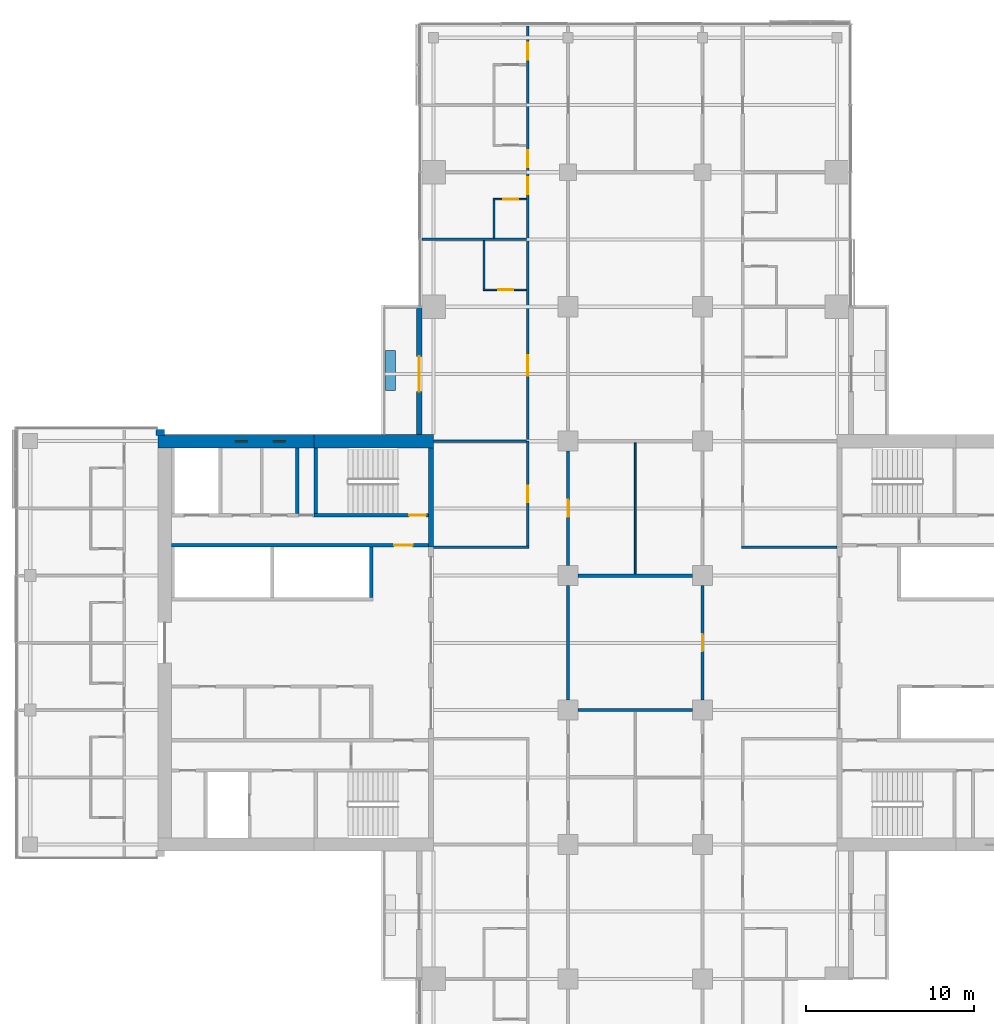
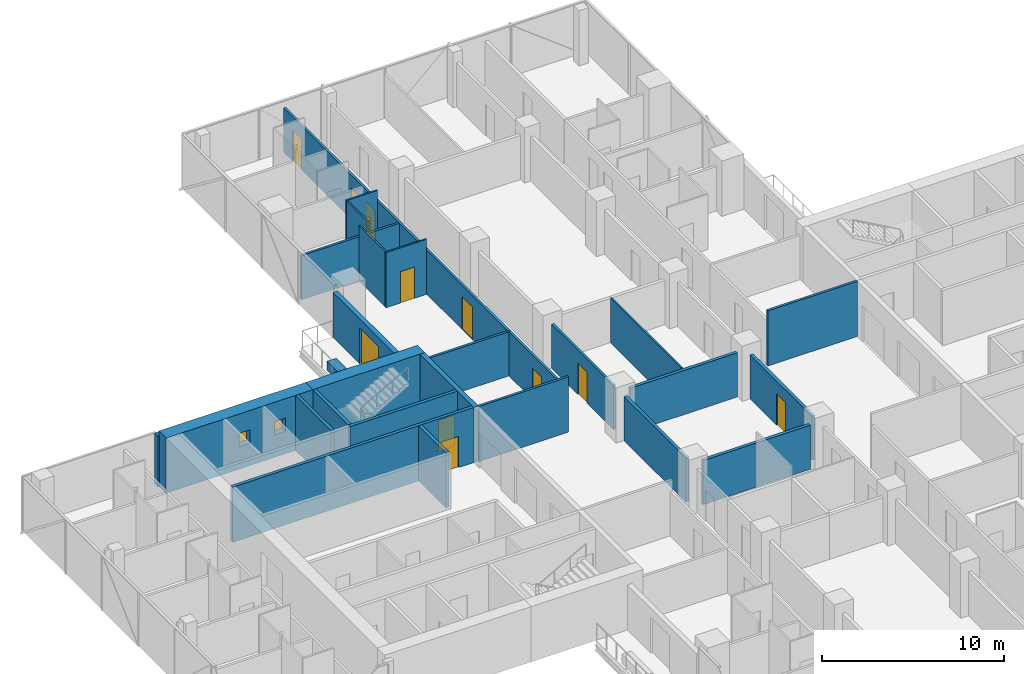
# One storey, part 19 of 27: 27 walls, 12 doors, 2 windows, 14 openings.
"""IFC4 building model written with IfcOpenShell, lengths in metres."""

from ifc_helpers import new_model, si_unit, direction, frame, frame_2d, origin, place, context, subcontext, project, spatial, rectangle, extrude, material, layer, layer_set, constituent, constituent_set, type_object, element, fill, save


model = new_model("IFC4")

# Units and contexts
model_context = context("Model", 3, precision=1e-05, world=origin(), true_north=direction((0.0, 1.0)))
body_context = subcontext(model_context, "Body", "Model", "MODEL_VIEW")
ifc_project = project(units=[si_unit("LENGTHUNIT", "METRE"), si_unit("AREAUNIT", "SQUARE_METRE"), si_unit("VOLUMEUNIT", "CUBIC_METRE"), si_unit("PLANEANGLEUNIT", "RADIAN"), si_unit("MASSUNIT", "GRAM", prefix="KILO")], contexts=[model_context])

# Site, building, storey
site_placement = place(None, origin())
site = spatial("IfcSite", under=ifc_project, at=site_placement, CompositionType="ELEMENT")
building_placement = place(site_placement, origin())
building = spatial("IfcBuilding", under=site, at=building_placement, Name="Crosswind Convention Tower", CompositionType="ELEMENT")
storey_placement = place(building_placement, frame((0.0, 0.0, 68.300048828125)))
storey = spatial("IfcBuildingStorey", under=building, at=storey_placement, Name="L11", CompositionType="ELEMENT", Elevation=68.300048828125)

# Walls
ifc_material_1 = material(Name="Concrete blockwork", Category="masonry")
ifc_layer_1 = layer(ifc_material_1, 0.199951171875)
ifc_layer_set_1 = layer_set([ifc_layer_1], Name="Blockwork partition wall 200")
wall_type_1 = type_object("IfcWallType", Name="Blockwork partition wall 200", PredefinedType="PARTITIONING", material=ifc_layer_set_1)
wall_1_placement = place(storey_placement, frame((104.89990234375, 111.60009765625, 0.0), z_axis=(0.0, 0.0, 1.0), x_axis=(0.0, -1.0, 0.0)))
element("IfcWall", 1, at=wall_1_placement, inside=storey, type_object=wall_type_1, Name="Wall MRSE W L11", PredefinedType="PARTITIONING", context=body_context, shape_type="SweptSolid", body=[
    extrude(rectangle(XDim=3.900146484375, YDim=0.199951171875, at=frame_2d((1.9501953125, 0.0))), origin(), (0.0, 0.0, 1.0), 3.699951171875),
])
ifc_material_2 = material(Name="Plasterboard partition", Category="gypsum")
ifc_layer_2 = layer(ifc_material_2, 0.14990234375)
ifc_layer_set_2 = layer_set([ifc_layer_2], Name="CORRIDOR WALL 150")
wall_type_2 = type_object("IfcWallType", Name="CORRIDOR WALL 150", PredefinedType="PARTITIONING", material=ifc_layer_set_2)
for number, where, z_axis, x_axis, name in (
    (2, (113.0, 105.699951171875, 0.0), (0.0, 0.0, 1.0), (1.0, 0.0, 0.0), "Corridor Wall 44"),
    (3, (131.324951171875, 105.699951171875, 0.0), (0.0, 0.0, 1.0), (1.0, 0.0, 0.0), "Corridor Wall 45"),
):
    element("IfcWall", number, at=place(storey_placement, frame(where, z_axis=z_axis, x_axis=x_axis)), inside=storey, type_object=wall_type_2, Name=name, PredefinedType="PARTITIONING", context=body_context, shape_type="SweptSolid", body=[
        extrude(rectangle(XDim=5.675048828125, YDim=0.14990234375, at=frame_2d((2.83740234375, 0.0))), origin(), (0.0, 0.0, 1.0), 3.699951171875),
    ])

# Wall, opening, door
wall_2_placement = place(storey_placement, frame((118.60009765625, 105.77490234375, 0.0), z_axis=(0.0, 0.0, 1.0), x_axis=(0.0, 1.0, 0.0)))
wall_2 = element("IfcWall", 4, at=wall_2_placement, inside=storey, type_object=wall_type_2, Name="Corridor Wall 85", PredefinedType="PARTITIONING", context=body_context, shape_type="SweptSolid", body=[
    extrude(rectangle(XDim=6.22509765625, YDim=0.14990234375, at=frame_2d((3.112548828125, 0.0))), origin(), (0.0, 0.0, 1.0), 2.956298828125),
])
opening_1_placement = place(wall_2_placement, frame((2.574951171875, 0.0, 0.0)))
opening_1 = element("IfcOpeningElement", 5, at=opening_1_placement, cuts=wall_2, Name="Opening 11.003", PredefinedType="OPENING", context=body_context, shape_type="SweptSolid", body=[
    extrude(rectangle(XDim=1.0, YDim=2.10009765625, at=frame_2d((0.5, 1.050048828125))), frame((0.0, 0.0849609375, 0.0), z_axis=(0.0, -1.0, 0.0), x_axis=(1.0, 0.0, 0.0)), (0.0, 0.0, 1.0), 0.169921875),
])
ifc_material_3 = material(Name="Timber fire door", Category="wood")
door_type_1 = type_object("IfcDoorType", Name="SERVICE ROOM DOOR 1000X2100", OperationType="NOTDEFINED", PredefinedType="DOOR", material=ifc_material_3)
door_1_placement = place(opening_1_placement, origin())
door_1 = element("IfcDoor", 6, at=door_1_placement, inside=storey, type_object=door_type_1, Name="Door 11.003", ObjectType="D3", OperationType="SINGLE_SWING_RIGHT", OverallHeight=2.10009765625, OverallWidth=1.0, PredefinedType="DOOR", context=body_context, shape_type="SweptSolid", body=[
    extrude(rectangle(XDim=1.0, YDim=2.10009765625, at=frame_2d((0.5, 1.050048828125))), frame((0.0, 0.02490234375, 0.0), z_axis=(0.0, -1.0, 0.0), x_axis=(1.0, 0.0, 0.0)), (0.0, 0.0, 1.0), 0.050048828125),
])
fill(opening_1, door_1)

wall_3_placement = place(storey_placement, frame((121.0, 104.60009765625, 0.0), z_axis=(0.0, 0.0, 1.0), x_axis=(0.0, 1.0, 0.0)))
wall_3 = element("IfcWall", 7, at=wall_3_placement, inside=storey, type_object=wall_type_2, Name="Corridor Wall 94", PredefinedType="PARTITIONING", context=body_context, shape_type="SweptSolid", body=[
    extrude(rectangle(XDim=6.7998046875, YDim=0.14990234375, at=frame_2d((3.39990234375, 0.0))), origin(), (0.0, 0.0, 1.0), 2.959716796875),
])
opening_2_placement = place(wall_3_placement, frame((2.89990234375, 0.0, 0.0)))
opening_2 = element("IfcOpeningElement", 8, at=opening_2_placement, cuts=wall_3, Name="Opening 11.065", PredefinedType="OPENING", context=body_context, shape_type="SweptSolid", body=[
    extrude(rectangle(XDim=1.0, YDim=2.10009765625, at=frame_2d((0.5, 1.050048828125))), frame((0.0, 0.0849609375, 0.0), z_axis=(0.0, -1.0, 0.0), x_axis=(1.0, 0.0, 0.0)), (0.0, 0.0, 1.0), 0.169921875),
])
door_2_placement = place(opening_2_placement, frame((1.0, 0.0, 0.0), z_axis=(0.0, 0.0, 1.0), x_axis=(-1.0, 0.0, 0.0)))
door_2 = element("IfcDoor", 9, at=door_2_placement, inside=storey, type_object=door_type_1, Name="Door 11.065", ObjectType="D3", OperationType="SINGLE_SWING_LEFT", OverallHeight=2.10009765625, OverallWidth=1.0, PredefinedType="DOOR", context=body_context, shape_type="SweptSolid", body=[
    extrude(rectangle(XDim=1.0, YDim=2.10009765625, at=frame_2d((0.5, 1.050048828125))), frame((0.0, 0.02490234375, 0.0), z_axis=(0.0, -1.0, 0.0), x_axis=(1.0, 0.0, 0.0)), (0.0, 0.0, 1.0), 0.050048828125),
])
fill(opening_2, door_2)

# Walls
ifc_material_4 = material(Name="Concrete C50/60", Category="concrete")
ifc_layer_3 = layer(ifc_material_4, 0.300048828125)
ifc_layer_set_3 = layer_set([ifc_layer_3], Name="Concrete C50/60")
wall_type_3 = type_object("IfcWallType", Name="Concrete inner core wall 300", PredefinedType="SHEAR", material=ifc_layer_set_3)
wall_4_placement = place(storey_placement, frame((112.85009765625, 111.60009765625, 0.0), z_axis=(0.0, 0.0, 1.0), x_axis=(0.0, -1.0, 0.0)))
element("IfcWall", 10, at=wall_4_placement, inside=storey, type_object=wall_type_3, Name="Wall EM W L11", PredefinedType="SHEAR", context=body_context, shape_type="SweptSolid", body=[
    extrude(rectangle(XDim=5.900146484375, YDim=0.300048828125, at=frame_2d((2.9501953125, 0.0))), origin(), (0.0, 0.0, 1.0), 3.699951171875),
])
ifc_layer_4 = layer(ifc_material_4, 0.199951171875)
ifc_layer_set_4 = layer_set([ifc_layer_4], Name="Concrete C50/60")
wall_type_4 = type_object("IfcWallType", Name="Concrete shaft and stair wall 200", PredefinedType="SHEAR", material=ifc_layer_set_4)
wall_5_placement = place(storey_placement, frame((109.300048828125, 105.699951171875, 0.0), z_axis=(0.0, 0.0, 1.0), x_axis=(0.0, -1.0, 0.0)))
element("IfcWall", 11, at=wall_5_placement, inside=storey, type_object=wall_type_4, Name="Wall RMEND W L11", PredefinedType="SHEAR", context=body_context, shape_type="SweptSolid", body=[
    extrude(rectangle(XDim=3.0, YDim=0.199951171875, at=frame_2d((1.5, 0.0))), origin(), (0.0, 0.0, 1.0), 3.699951171875),
])

# Wall, opening, door
wall_6_placement = place(storey_placement, frame((112.699951171875, 105.800048828125, 0.0), z_axis=(0.0, 0.0, 1.0), x_axis=(-1.0, 0.0, 0.0)))
wall_6 = element("IfcWall", 12, at=wall_6_placement, inside=storey, type_object=wall_type_4, Name="Wall HM W L11", PredefinedType="SHEAR", context=body_context, shape_type="SweptSolid", body=[
    extrude(rectangle(XDim=15.300048828125, YDim=0.199951171875, at=frame_2d((7.64990234375, 0.0))), origin(), (0.0, 0.0, 1.0), 3.699951171875),
])
opening_3_placement = place(wall_6_placement, frame((0.949951171875, 0.0, 0.0)))
opening_3 = element("IfcOpeningElement", 13, at=opening_3_placement, cuts=wall_6, Name="Opening D104", PredefinedType="OPENING", context=body_context, shape_type="SweptSolid", body=[
    extrude(rectangle(XDim=1.10009765625, YDim=2.10009765625, at=frame_2d((0.550048828125, 1.050048828125))), frame((0.0, 0.10986328125, 0.0), z_axis=(0.0, -1.0, 0.0), x_axis=(1.0, 0.0, 0.0)), (0.0, 0.0, 1.0), 0.219970703125),
])
ifc_material_5 = material(Name="Steel fire door", Category="steel")
door_type_2 = type_object("IfcDoorType", Name="Fire-rated single door 1100x2100", OperationType="NOTDEFINED", PredefinedType="DOOR", material=ifc_material_5)
door_3_placement = place(opening_3_placement, origin())
door_3 = element("IfcDoor", 14, at=door_3_placement, inside=storey, type_object=door_type_2, Name="Corridor door L11", ObjectType="D104", OperationType="SINGLE_SWING_LEFT", OverallHeight=2.10009765625, OverallWidth=1.10009765625, PredefinedType="DOOR", context=body_context, shape_type="SweptSolid", body=[
    extrude(rectangle(XDim=1.10009765625, YDim=2.10009765625, at=frame_2d((0.550048828125, 1.050048828125))), frame((0.0, 0.02490234375, 0.0), z_axis=(0.0, -1.0, 0.0), x_axis=(1.0, 0.0, 0.0)), (0.0, 0.0, 1.0), 0.050048828125),
])
fill(opening_3, door_3)

# Wall
wall_7_placement = place(storey_placement, frame((106.0, 111.60009765625, 0.0), z_axis=(0.0, 0.0, 1.0), x_axis=(0.0, -1.0, 0.0)))
element("IfcWall", 15, at=wall_7_placement, inside=storey, type_object=wall_type_4, Name="Wall MSE W L11", PredefinedType="SHEAR", context=body_context, shape_type="SweptSolid", body=[
    extrude(rectangle(XDim=3.900146484375, YDim=0.199951171875, at=frame_2d((1.9501953125, 0.0))), origin(), (0.0, 0.0, 1.0), 3.699951171875),
])

# Wall, opening, door
wall_8_placement = place(storey_placement, frame((112.699951171875, 107.60009765625, 0.0), z_axis=(0.0, 0.0, 1.0), x_axis=(-1.0, 0.0, 0.0)))
wall_8 = element("IfcWall", 16, at=wall_8_placement, inside=storey, type_object=wall_type_4, Name="Wall MCW W L11", PredefinedType="SHEAR", context=body_context, shape_type="SweptSolid", body=[
    extrude(rectangle(XDim=6.800048828125, YDim=0.199951171875, at=frame_2d((3.39990234375, 0.0))), origin(), (0.0, 0.0, 1.0), 3.699951171875),
])
opening_4_placement = place(wall_8_placement, frame((0.14990234375, 0.0, 0.0)))
opening_4 = element("IfcOpeningElement", 17, at=opening_4_placement, cuts=wall_8, Name="Opening D103", PredefinedType="OPENING", context=body_context, shape_type="SweptSolid", body=[
    extrude(rectangle(XDim=1.0, YDim=2.10009765625, at=frame_2d((0.5, 1.050048828125))), frame((0.0, 0.10986328125, 0.0), z_axis=(0.0, -1.0, 0.0), x_axis=(1.0, 0.0, 0.0)), (0.0, 0.0, 1.0), 0.219970703125),
])
door_type_3 = type_object("IfcDoorType", Name="Fire-rated single door 1000x2100", OperationType="NOTDEFINED", PredefinedType="DOOR", material=ifc_material_5)
door_4_placement = place(opening_4_placement, frame((1.0, 0.0, 0.0), z_axis=(0.0, 0.0, 1.0), x_axis=(-1.0, 0.0, 0.0)))
door_4 = element("IfcDoor", 18, at=door_4_placement, inside=storey, type_object=door_type_3, Name="Stair ST4 door L11", ObjectType="D103", OperationType="SINGLE_SWING_RIGHT", OverallHeight=2.10009765625, OverallWidth=1.0, PredefinedType="DOOR", context=body_context, shape_type="SweptSolid", body=[
    extrude(rectangle(XDim=1.0, YDim=2.10009765625, at=frame_2d((0.5, 1.050048828125))), frame((0.0, 0.02490234375, 0.0), z_axis=(0.0, -1.0, 0.0), x_axis=(1.0, 0.0, 0.0)), (0.0, 0.0, 1.0), 0.050048828125),
])
fill(opening_4, door_4)

# Walls
ifc_material_6 = material(Name="Acoustic plasterboard partition", Category="gypsum")
ifc_layer_5 = layer(ifc_material_6, 0.14990234375)
ifc_layer_set_5 = layer_set([ifc_layer_5], Name="GUEST ROOM WALL 150")
wall_type_5 = type_object("IfcWallType", Name="GUEST ROOM WALL 150", PredefinedType="PARTITIONING", material=ifc_layer_set_5)
wall_9_placement = place(storey_placement, frame((113.0, 112.0, 0.0), z_axis=(0.0, 0.0, 1.0), x_axis=(1.0, 0.0, 0.0)))
element("IfcWall", 19, at=wall_9_placement, inside=storey, type_object=wall_type_5, Name="Guest Room Wall 51", PredefinedType="PARTITIONING", context=body_context, shape_type="SweptSolid", body=[
    extrude(rectangle(XDim=5.52490234375, YDim=0.14990234375, at=frame_2d((2.762451171875, 0.0))), origin(), (0.0, 0.0, 1.0), 2.956298828125),
])
wall_10_placement = place(storey_placement, frame((112.300048828125, 124.0, 0.0), z_axis=(0.0, 0.0, 1.0), x_axis=(1.0, 0.0, 0.0)))
element("IfcWall", 20, at=wall_10_placement, inside=storey, type_object=wall_type_5, Name="Guest Room Wall 58", PredefinedType="PARTITIONING", context=body_context, shape_type="SweptSolid", body=[
    extrude(rectangle(XDim=6.224853515625, YDim=0.14990234375, at=frame_2d((3.1123046875, 0.0))), origin(), (0.0, 0.0, 1.0), 2.962646484375),
])

# Wall, openings, doors
wall_11_placement = place(storey_placement, frame((118.60009765625, 112.0, 0.0), z_axis=(0.0, 0.0, 1.0), x_axis=(0.0, 1.0, 0.0)))
wall_11 = element("IfcWall", 21, at=wall_11_placement, inside=storey, type_object=wall_type_5, Name="Guest Room Wall 86", PredefinedType="PARTITIONING", context=body_context, shape_type="SweptSolid", body=[
    extrude(rectangle(XDim=24.699951171875, YDim=0.14990234375, at=frame_2d((12.35009765625, 0.0))), origin(), (0.0, 0.0, 1.0), 2.956298828125),
])
opening_5_placement = place(wall_11_placement, frame((3.89990234375, 0.0, 0.0)))
opening_5 = element("IfcOpeningElement", 22, at=opening_5_placement, cuts=wall_11, Name="Opening 11.012", PredefinedType="OPENING", context=body_context, shape_type="SweptSolid", body=[
    extrude(rectangle(XDim=1.199951171875, YDim=2.199951171875, at=frame_2d((0.60009765625, 1.10009765625))), frame((0.0, 0.0849609375, 0.0), z_axis=(0.0, -1.0, 0.0), x_axis=(1.0, 0.0, 0.0)), (0.0, 0.0, 1.0), 0.169921875),
])
opening_6_placement = place(wall_11_placement, frame((14.699951171875, 0.0, 0.0)))
opening_6 = element("IfcOpeningElement", 23, at=opening_6_placement, cuts=wall_11, Name="Opening 11.014", PredefinedType="OPENING", context=body_context, shape_type="SweptSolid", body=[
    extrude(rectangle(XDim=1.0, YDim=2.10009765625, at=frame_2d((0.5, 1.050048828125))), frame((0.0, 0.0849609375, 0.0), z_axis=(0.0, -1.0, 0.0), x_axis=(1.0, 0.0, 0.0)), (0.0, 0.0, 1.0), 0.169921875),
])
opening_7_placement = place(wall_11_placement, frame((16.300048828125, 0.0, 0.0)))
opening_7 = element("IfcOpeningElement", 24, at=opening_7_placement, cuts=wall_11, Name="Opening 11.016", PredefinedType="OPENING", context=body_context, shape_type="SweptSolid", body=[
    extrude(rectangle(XDim=1.0, YDim=2.10009765625, at=frame_2d((0.5, 1.050048828125))), frame((0.0, 0.0849609375, 0.0), z_axis=(0.0, -1.0, 0.0), x_axis=(1.0, 0.0, 0.0)), (0.0, 0.0, 1.0), 0.169921875),
])
opening_8_placement = place(wall_11_placement, frame((22.699951171875, 0.0, 0.0)))
opening_8 = element("IfcOpeningElement", 25, at=opening_8_placement, cuts=wall_11, Name="Opening 11.018", PredefinedType="OPENING", context=body_context, shape_type="SweptSolid", body=[
    extrude(rectangle(XDim=1.0, YDim=2.10009765625, at=frame_2d((0.5, 1.050048828125))), frame((0.0, 0.0849609375, 0.0), z_axis=(0.0, -1.0, 0.0), x_axis=(1.0, 0.0, 0.0)), (0.0, 0.0, 1.0), 0.169921875),
])
door_type_4 = type_object("IfcDoorType", Name="GUEST ROOM DOOR 1000X2100", OperationType="NOTDEFINED", PredefinedType="DOOR", material=ifc_material_3)
door_5_placement = place(opening_6_placement, origin())
door_5 = element("IfcDoor", 26, at=door_5_placement, inside=storey, type_object=door_type_4, Name="Door 11.014", ObjectType="D1", OperationType="SINGLE_SWING_RIGHT", OverallHeight=2.10009765625, OverallWidth=1.0, PredefinedType="DOOR", context=body_context, shape_type="SweptSolid", body=[
    extrude(rectangle(XDim=1.0, YDim=2.10009765625, at=frame_2d((0.5, 1.050048828125))), frame((0.0, 0.02490234375, 0.0), z_axis=(0.0, -1.0, 0.0), x_axis=(1.0, 0.0, 0.0)), (0.0, 0.0, 1.0), 0.050048828125),
])
fill(opening_6, door_5)
door_6_placement = place(opening_7_placement, origin())
door_6 = element("IfcDoor", 27, at=door_6_placement, inside=storey, type_object=door_type_4, Name="Door 11.016", ObjectType="D1", OperationType="SINGLE_SWING_RIGHT", OverallHeight=2.10009765625, OverallWidth=1.0, PredefinedType="DOOR", context=body_context, shape_type="SweptSolid", body=[
    extrude(rectangle(XDim=1.0, YDim=2.10009765625, at=frame_2d((0.5, 1.050048828125))), frame((0.0, 0.02490234375, 0.0), z_axis=(0.0, -1.0, 0.0), x_axis=(1.0, 0.0, 0.0)), (0.0, 0.0, 1.0), 0.050048828125),
])
fill(opening_7, door_6)
door_7_placement = place(opening_8_placement, origin())
door_7 = element("IfcDoor", 28, at=door_7_placement, inside=storey, type_object=door_type_4, Name="Door 11.018", ObjectType="D1", OperationType="SINGLE_SWING_LEFT", OverallHeight=2.10009765625, OverallWidth=1.0, PredefinedType="DOOR", context=body_context, shape_type="SweptSolid", body=[
    extrude(rectangle(XDim=1.0, YDim=2.10009765625, at=frame_2d((0.5, 1.050048828125))), frame((0.0, 0.02490234375, 0.0), z_axis=(0.0, -1.0, 0.0), x_axis=(1.0, 0.0, 0.0)), (0.0, 0.0, 1.0), 0.050048828125),
])
fill(opening_8, door_7)
door_type_5 = type_object("IfcDoorType", Name="SUITE DOOR 1200X2200", OperationType="DOUBLE_DOOR_SINGLE_SWING", PredefinedType="DOOR", material=ifc_material_3)
door_8_placement = place(opening_5_placement, origin())
door_8 = element("IfcDoor", 29, at=door_8_placement, inside=storey, type_object=door_type_5, Name="Door 11.012", ObjectType="D14", OperationType="DOUBLE_DOOR_SINGLE_SWING", OverallHeight=2.199951171875, OverallWidth=1.199951171875, PredefinedType="DOOR", context=body_context, shape_type="SweptSolid", body=[
    extrude(rectangle(XDim=1.199951171875, YDim=2.199951171875, at=frame_2d((0.60009765625, 1.10009765625))), frame((0.0, 0.02490234375, 0.0), z_axis=(0.0, -1.0, 0.0), x_axis=(1.0, 0.0, 0.0)), (0.0, 0.0, 1.0), 0.050048828125),
])
fill(opening_5, door_8)

# Walls
ifc_material_7 = material(Name="Double plasterboard partition", Category="gypsum")
ifc_layer_6 = layer(ifc_material_7, 0.199951171875)
ifc_layer_set_6 = layer_set([ifc_layer_6], Name="HALL WALL 200")
wall_type_6 = type_object("IfcWallType", Name="HALL WALL 200", PredefinedType="PARTITIONING", material=ifc_layer_set_6)
for number, where, z_axis, x_axis, name in (
    (30, (121.60009765625, 96.0, 0.0), (0.0, 0.0, 1.0), (1.0, 0.0, 0.0), "Hall Wall 31"),
    (31, (121.60009765625, 104.0, 0.0), (0.0, 0.0, 1.0), (1.0, 0.0, 0.0), "Hall Wall 40"),
    (32, (121.0, 96.60009765625, 0.0), (0.0, 0.0, 1.0), (0.0, 1.0, 0.0), "Hall Wall 93"),
):
    element("IfcWall", number, at=place(storey_placement, frame(where, z_axis=z_axis, x_axis=x_axis)), inside=storey, type_object=wall_type_6, Name=name, PredefinedType="PARTITIONING", context=body_context, shape_type="SweptSolid", body=[
        extrude(rectangle(XDim=6.7998046875, YDim=0.199951171875, at=frame_2d((3.39990234375, 0.0))), origin(), (0.0, 0.0, 1.0), 2.959716796875),
    ])

# Wall, opening, door
wall_12_placement = place(storey_placement, frame((129.0, 96.60009765625, 0.0), z_axis=(0.0, 0.0, 1.0), x_axis=(0.0, 1.0, 0.0)))
wall_12 = element("IfcWall", 33, at=wall_12_placement, inside=storey, type_object=wall_type_6, Name="Hall Wall 109", PredefinedType="PARTITIONING", context=body_context, shape_type="SweptSolid", body=[
    extrude(rectangle(XDim=6.7998046875, YDim=0.199951171875, at=frame_2d((3.39990234375, 0.0))), origin(), (0.0, 0.0, 1.0), 2.959716796875),
])
opening_9_placement = place(wall_12_placement, frame((2.89990234375, 0.0, 0.0)))
opening_9 = element("IfcOpeningElement", 34, at=opening_9_placement, cuts=wall_12, Name="Opening 11.064", PredefinedType="OPENING", context=body_context, shape_type="SweptSolid", body=[
    extrude(rectangle(XDim=1.0, YDim=2.10009765625, at=frame_2d((0.5, 1.050048828125))), frame((0.0, 0.10986328125, 0.0), z_axis=(0.0, -1.0, 0.0), x_axis=(1.0, 0.0, 0.0)), (0.0, 0.0, 1.0), 0.219970703125),
])
door_type_6 = type_object("IfcDoorType", Name="MEETING ROOM DOOR 1000X2100", OperationType="NOTDEFINED", PredefinedType="DOOR", material=ifc_material_3)
door_9_placement = place(opening_9_placement, frame((1.0, 0.0, 0.0), z_axis=(0.0, 0.0, 1.0), x_axis=(-1.0, 0.0, 0.0)))
door_9 = element("IfcDoor", 35, at=door_9_placement, inside=storey, type_object=door_type_6, Name="Door 11.064", ObjectType="D13", OperationType="SINGLE_SWING_LEFT", OverallHeight=2.10009765625, OverallWidth=1.0, PredefinedType="DOOR", context=body_context, shape_type="SweptSolid", body=[
    extrude(rectangle(XDim=1.0, YDim=2.10009765625, at=frame_2d((0.5, 1.050048828125))), frame((0.0, 0.02490234375, 0.0), z_axis=(0.0, -1.0, 0.0), x_axis=(1.0, 0.0, 0.0)), (0.0, 0.0, 1.0), 0.050048828125),
])
fill(opening_9, door_9)

# Walls
ifc_layer_7 = layer(ifc_material_2, 0.10009765625)
ifc_layer_set_7 = layer_set([ifc_layer_7], Name="PARTITION 100")
wall_type_7 = type_object("IfcWallType", Name="PARTITION 100", PredefinedType="PARTITIONING", material=ifc_layer_set_7)
wall_13_placement = place(storey_placement, frame((125.0, 104.10009765625, 0.0), z_axis=(0.0, 0.0, 1.0), x_axis=(0.0, 1.0, 0.0)))
element("IfcWall", 36, at=wall_13_placement, inside=storey, type_object=wall_type_7, Name="Partition 102", PredefinedType="PARTITIONING", context=body_context, shape_type="SweptSolid", body=[
    extrude(rectangle(XDim=7.7998046875, YDim=0.10009765625, at=frame_2d((3.89990234375, 0.0))), origin(), (0.0, 0.0, 1.0), 3.013671875),
])
ifc_material_8 = material(Name="Concrete C30/37", Category="concrete")
ifc_layer_8 = layer(ifc_material_8, 0.60009765625)
ifc_layer_set_8 = layer_set([ifc_layer_8], Name="Concrete C30/37")
wall_type_8 = type_object("IfcWallType", Name="PLANTER BOX WALL 600", PredefinedType="SOLIDWALL", material=ifc_layer_set_8)
wall_14_placement = place(storey_placement, frame((110.449951171875, 117.39990234375, 0.0), z_axis=(0.0, 0.0, 1.0), x_axis=(0.0, -1.0, 0.0)))
element("IfcWall", 37, at=wall_14_placement, inside=storey, type_object=wall_type_8, Name="PLANTER L11 N-W.1-3", PredefinedType="SOLIDWALL", context=body_context, shape_type="SweptSolid", body=[
    extrude(rectangle(XDim=2.39990234375, YDim=0.60009765625, at=frame_2d((1.199951171875, 0.0))), origin(), (0.0, 0.0, 1.0), 0.599853515625),
])
ifc_material_9 = material(Name="Terracotta rainscreen", Category="ceramic")
ifc_layer_9 = layer(ifc_material_9, 0.02001953125)
ifc_material_10 = material(Name="Mineral wool insulation", Category="insulation")
ifc_layer_10 = layer(ifc_material_10, 0.10009765625)
ifc_layer_11 = layer(ifc_material_1, 0.236083984375)
ifc_layer_set_9 = layer_set([ifc_layer_9, ifc_layer_10, ifc_layer_11], Name="TERRACOTTA CORNER INFILL WALL 356")
wall_type_9 = type_object("IfcWallType", Name="TERRACOTTA CORNER INFILL WALL 356", PredefinedType="SOLIDWALL", material=ifc_layer_set_9)
wall_15_placement = place(storey_placement, frame((96.4951171875, 112.52197265625, 0.0), z_axis=(0.0, 0.0, 1.0), x_axis=(1.0, 0.0, 0.0)))
element("IfcWall", 38, at=wall_15_placement, inside=storey, type_object=wall_type_9, Name="Core corner infill wall L11 2", PredefinedType="SOLIDWALL", context=body_context, shape_type="SweptSolid", body=[
    extrude(rectangle(XDim=0.5048828125, YDim=0.35595703125, at=frame_2d((0.25244140625, 0.0))), origin(), (0.0, 0.0, 1.0), 3.419921875),
])

# Wall, opening, door
ifc_layer_12 = layer(ifc_material_9, 0.02001953125)
ifc_layer_13 = layer(ifc_material_10, 0.10009765625)
ifc_layer_14 = layer(ifc_material_1, 0.179931640625)
ifc_layer_set_10 = layer_set([ifc_layer_12, ifc_layer_13, ifc_layer_14], Name="TERRACOTTA INFILL WALL 300")
wall_type_10 = type_object("IfcWallType", Name="TERRACOTTA INFILL WALL 300", PredefinedType="SOLIDWALL", material=ifc_layer_set_10)
wall_16_placement = place(storey_placement, frame((112.14990234375, 119.967529296875, 0.0), z_axis=(0.0, 0.0, 1.0), x_axis=(0.0, -1.0, 0.0)))
wall_16 = element("IfcWall", 39, at=wall_16_placement, inside=storey, type_object=wall_type_10, Name="Notch front wall L11 N-W.1-3", PredefinedType="SOLIDWALL", context=body_context, shape_type="SweptSolid", body=[
    extrude(rectangle(XDim=7.567626953125, YDim=0.300048828125, at=frame_2d((3.78369140625, 0.0))), origin(), (0.0, 0.0, 1.0), 3.013671875),
])
opening_10_placement = place(wall_16_placement, frame((2.91748046875, 0.0, 0.0)))
opening_10 = element("IfcOpeningElement", 40, at=opening_10_placement, cuts=wall_16, Name="Opening D141", PredefinedType="OPENING", context=body_context, shape_type="SweptSolid", body=[
    extrude(rectangle(XDim=2.10009765625, YDim=2.39990234375, at=frame_2d((1.050048828125, 1.199951171875))), frame((0.0, 0.159912109375, 0.0), z_axis=(0.0, -1.0, 0.0), x_axis=(1.0, 0.0, 0.0)), (0.0, 0.0, 1.0), 0.320068359375),
])
ifc_material_11 = material(Name="Aluminium glazed door", Category="aluminium")
door_type_7 = type_object("IfcDoorType", Name="BALCONY SLIDING DOOR 2100X2400", OperationType="SLIDING_TO_LEFT", PredefinedType="DOOR", material=ifc_material_11)
door_10_placement = place(opening_10_placement, frame((2.10009765625, 0.0, 0.0), z_axis=(0.0, 0.0, 1.0), x_axis=(-1.0, 0.0, 0.0)))
door_10 = element("IfcDoor", 41, at=door_10_placement, inside=storey, type_object=door_type_7, Name="D141 balcony door L11 N-W.1-3", ObjectType="D141", OperationType="SLIDING_TO_LEFT", OverallHeight=2.39990234375, OverallWidth=2.10009765625, PredefinedType="DOOR", context=body_context, shape_type="SweptSolid", body=[
    extrude(rectangle(XDim=2.10009765625, YDim=2.39990234375, at=frame_2d((1.050048828125, 1.199951171875))), frame((0.0, 0.02490234375, 0.0), z_axis=(0.0, -1.0, 0.0), x_axis=(1.0, 0.0, 0.0)), (0.0, 0.0, 1.0), 0.050048828125),
])
fill(opening_10, door_10)

# Wall
ifc_material_12 = material(Name="Concrete C60/75", Category="concrete")
ifc_constituent_1 = constituent(ifc_material_12, Name="Structure")
ifc_constituent_2 = constituent(ifc_material_9, Name="Facing")
ifc_constituent_set = constituent_set(constituents=[ifc_constituent_1, ifc_constituent_2], Name="Concrete C60/75, Terracotta rainscreen")
wall_type_11 = type_object("IfcWallType", Name="Terracotta rainscreen on concrete core wall 800", PredefinedType="SHEAR", material=ifc_constituent_set)
wall_17_placement = place(storey_placement, frame((113.0, 112.0, 0.0), z_axis=(0.0, 0.0, 1.0), x_axis=(-1.0, 0.0, 0.0)))
element("IfcWall", 42, at=wall_17_placement, inside=storey, type_object=wall_type_11, Name="Wall S1 W L11", PredefinedType="SHEAR", context=body_context, shape_type="SweptSolid", body=[
    extrude(rectangle(XDim=7.10009765625, YDim=0.800048828125, at=frame_2d((3.550048828125, 0.0))), origin(), (0.0, 0.0, 1.0), 3.699951171875),
])

# Wall, openings, windows
wall_18_placement = place(storey_placement, frame((105.89990234375, 112.0, 0.0), z_axis=(0.0, 0.0, 1.0), x_axis=(-1.0, 0.0, 0.0)))
wall_18 = element("IfcWall", 43, at=wall_18_placement, inside=storey, type_object=wall_type_11, Name="Wall S2 W L11", PredefinedType="SHEAR", context=body_context, shape_type="SweptSolid", body=[
    extrude(rectangle(XDim=9.2998046875, YDim=0.800048828125, at=frame_2d((4.64990234375, 0.0))), origin(), (0.0, 0.0, 1.0), 3.699951171875),
])
opening_11_placement = place(wall_18_placement, frame((1.730712890625, 0.0, 1.5)))
opening_11 = element("IfcOpeningElement", 44, at=opening_11_placement, cuts=wall_18, Name="Opening W2", PredefinedType="OPENING", context=body_context, shape_type="SweptSolid", body=[
    extrude(rectangle(XDim=0.699951171875, YDim=0.89990234375, at=frame_2d((0.35009765625, 0.449951171875))), frame((0.0, 0.409912109375, 0.0), z_axis=(0.0, -1.0, 0.0), x_axis=(1.0, 0.0, 0.0)), (0.0, 0.0, 1.0), 0.820068359375),
])
opening_12_placement = place(wall_18_placement, frame((3.9931640625, 0.0, 1.5)))
opening_12 = element("IfcOpeningElement", 45, at=opening_12_placement, cuts=wall_18, Name="Opening W2", PredefinedType="OPENING", context=body_context, shape_type="SweptSolid", body=[
    extrude(rectangle(XDim=0.699951171875, YDim=0.89990234375, at=frame_2d((0.35009765625, 0.449951171875))), frame((0.0, 0.409912109375, 0.0), z_axis=(0.0, -1.0, 0.0), x_axis=(1.0, 0.0, 0.0)), (0.0, 0.0, 1.0), 0.820068359375),
])
ifc_material_13 = material(Name="Obscure glass in aluminium frame", Category="aluminium")
window_type = type_object("IfcWindowType", Name="WC window 700x900", PartitioningType="SINGLE_PANEL", PredefinedType="WINDOW", material=ifc_material_13)
window_1_placement = place(opening_11_placement, origin())
window_1 = element("IfcWindow", 46, at=window_1_placement, inside=storey, type_object=window_type, Name="WC window L11", ObjectType="W2", OverallHeight=0.89990234375, OverallWidth=0.699951171875, PartitioningType="SINGLE_PANEL", PredefinedType="WINDOW", context=body_context, shape_type="SweptSolid", body=[
    extrude(rectangle(XDim=0.699951171875, YDim=0.89990234375, at=frame_2d((0.35009765625, 0.449951171875))), frame((0.0, 0.030029296875, 0.0), z_axis=(0.0, -1.0, 0.0), x_axis=(1.0, 0.0, 0.0)), (0.0, 0.0, 1.0), 0.06005859375),
])
fill(opening_11, window_1)
window_2_placement = place(opening_12_placement, origin())
window_2 = element("IfcWindow", 47, at=window_2_placement, inside=storey, type_object=window_type, Name="WC window L11", ObjectType="W2", OverallHeight=0.89990234375, OverallWidth=0.699951171875, PartitioningType="SINGLE_PANEL", PredefinedType="WINDOW", context=body_context, shape_type="SweptSolid", body=[
    extrude(rectangle(XDim=0.699951171875, YDim=0.89990234375, at=frame_2d((0.35009765625, 0.449951171875))), frame((0.0, 0.030029296875, 0.0), z_axis=(0.0, -1.0, 0.0), x_axis=(1.0, 0.0, 0.0)), (0.0, 0.0, 1.0), 0.06005859375),
])
fill(opening_12, window_2)

# Wall, opening, door
ifc_material_14 = material(Name="Water-resistant plasterboard partition", Category="gypsum")
ifc_layer_15 = layer(ifc_material_14, 0.10009765625)
ifc_layer_set_11 = layer_set([ifc_layer_15], Name="WET ROOM PARTITION 100")
wall_type_12 = type_object("IfcWallType", Name="WET ROOM PARTITION 100", PredefinedType="PLUMBINGWALL", material=ifc_layer_set_11)
wall_19_placement = place(storey_placement, frame((115.949951171875, 121.0, 0.0), z_axis=(0.0, 0.0, 1.0), x_axis=(1.0, 0.0, 0.0)))
wall_19 = element("IfcWall", 48, at=wall_19_placement, inside=storey, type_object=wall_type_12, Name="Wet Room Partition 56", PredefinedType="PLUMBINGWALL", context=body_context, shape_type="SweptSolid", body=[
    extrude(rectangle(XDim=2.574951171875, YDim=0.10009765625, at=frame_2d((1.28759765625, 0.0))), origin(), (0.0, 0.0, 1.0), 3.699951171875),
])
opening_13_placement = place(wall_19_placement, frame((0.89990234375, 0.0, 0.0)))
opening_13 = element("IfcOpeningElement", 49, at=opening_13_placement, cuts=wall_19, Name="Opening 11.013", PredefinedType="OPENING", context=body_context, shape_type="SweptSolid", body=[
    extrude(rectangle(XDim=0.89990234375, YDim=2.10009765625, at=frame_2d((0.449951171875, 1.050048828125))), frame((0.0, 0.06005859375, 0.0), z_axis=(0.0, -1.0, 0.0), x_axis=(1.0, 0.0, 0.0)), (0.0, 0.0, 1.0), 0.1201171875),
])
ifc_material_15 = material(Name="Timber door", Category="wood")
door_type_8 = type_object("IfcDoorType", Name="EN-SUITE DOOR 900X2100", OperationType="NOTDEFINED", PredefinedType="DOOR", material=ifc_material_15)
door_11_placement = place(opening_13_placement, origin())
door_11 = element("IfcDoor", 50, at=door_11_placement, inside=storey, type_object=door_type_8, Name="Door 11.013", ObjectType="D2", OperationType="SINGLE_SWING_RIGHT", OverallHeight=2.10009765625, OverallWidth=0.89990234375, PredefinedType="DOOR", context=body_context, shape_type="SweptSolid", body=[
    extrude(rectangle(XDim=0.89990234375, YDim=2.10009765625, at=frame_2d((0.449951171875, 1.050048828125))), frame((0.0, 0.02490234375, 0.0), z_axis=(0.0, -1.0, 0.0), x_axis=(1.0, 0.0, 0.0)), (0.0, 0.0, 1.0), 0.050048828125),
])
fill(opening_13, door_11)

wall_20_placement = place(storey_placement, frame((116.550048828125, 126.39990234375, 0.0), z_axis=(0.0, 0.0, 1.0), x_axis=(1.0, 0.0, 0.0)))
wall_20 = element("IfcWall", 51, at=wall_20_placement, inside=storey, type_object=wall_type_12, Name="Wet Room Partition 61", PredefinedType="PLUMBINGWALL", context=body_context, shape_type="SweptSolid", body=[
    extrude(rectangle(XDim=1.974853515625, YDim=0.10009765625, at=frame_2d((0.9873046875, 0.0))), origin(), (0.0, 0.0, 1.0), 3.699951171875),
])
opening_14_placement = place(wall_20_placement, frame((0.60009765625, 0.0, 0.0)))
opening_14 = element("IfcOpeningElement", 52, at=opening_14_placement, cuts=wall_20, Name="Opening 11.015", PredefinedType="OPENING", context=body_context, shape_type="SweptSolid", body=[
    extrude(rectangle(XDim=0.89990234375, YDim=2.10009765625, at=frame_2d((0.449951171875, 1.050048828125))), frame((0.0, 0.06005859375, 0.0), z_axis=(0.0, -1.0, 0.0), x_axis=(1.0, 0.0, 0.0)), (0.0, 0.0, 1.0), 0.1201171875),
])
door_12_placement = place(opening_14_placement, frame((0.89990234375, 0.0, 0.0), z_axis=(0.0, 0.0, 1.0), x_axis=(-1.0, 0.0, 0.0)))
door_12 = element("IfcDoor", 53, at=door_12_placement, inside=storey, type_object=door_type_8, Name="Door 11.015", ObjectType="D2", OperationType="SINGLE_SWING_LEFT", OverallHeight=2.10009765625, OverallWidth=0.89990234375, PredefinedType="DOOR", context=body_context, shape_type="SweptSolid", body=[
    extrude(rectangle(XDim=0.89990234375, YDim=2.10009765625, at=frame_2d((0.449951171875, 1.050048828125))), frame((0.0, 0.02490234375, 0.0), z_axis=(0.0, -1.0, 0.0), x_axis=(1.0, 0.0, 0.0)), (0.0, 0.0, 1.0), 0.050048828125),
])
fill(opening_14, door_12)

# Walls
wall_21_placement = place(storey_placement, frame((116.0, 121.050048828125, 0.0), z_axis=(0.0, 0.0, 1.0), x_axis=(0.0, 1.0, 0.0)))
element("IfcWall", 54, at=wall_21_placement, inside=storey, type_object=wall_type_12, Name="Wet Room Partition 76", PredefinedType="PLUMBINGWALL", context=body_context, shape_type="SweptSolid", body=[
    extrude(rectangle(XDim=2.875, YDim=0.10009765625, at=frame_2d((1.4375, 0.0))), origin(), (0.0, 0.0, 1.0), 3.699951171875),
])
wall_22_placement = place(storey_placement, frame((116.60009765625, 124.074951171875, 0.0), z_axis=(0.0, 0.0, 1.0), x_axis=(0.0, 1.0, 0.0)))
element("IfcWall", 55, at=wall_22_placement, inside=storey, type_object=wall_type_12, Name="Wet Room Partition 79", PredefinedType="PLUMBINGWALL", context=body_context, shape_type="SweptSolid", body=[
    extrude(rectangle(XDim=2.275146484375, YDim=0.10009765625, at=frame_2d((1.1376953125, 0.0))), origin(), (0.0, 0.0, 1.0), 3.699951171875),
])

save(model, "model.ifc")
